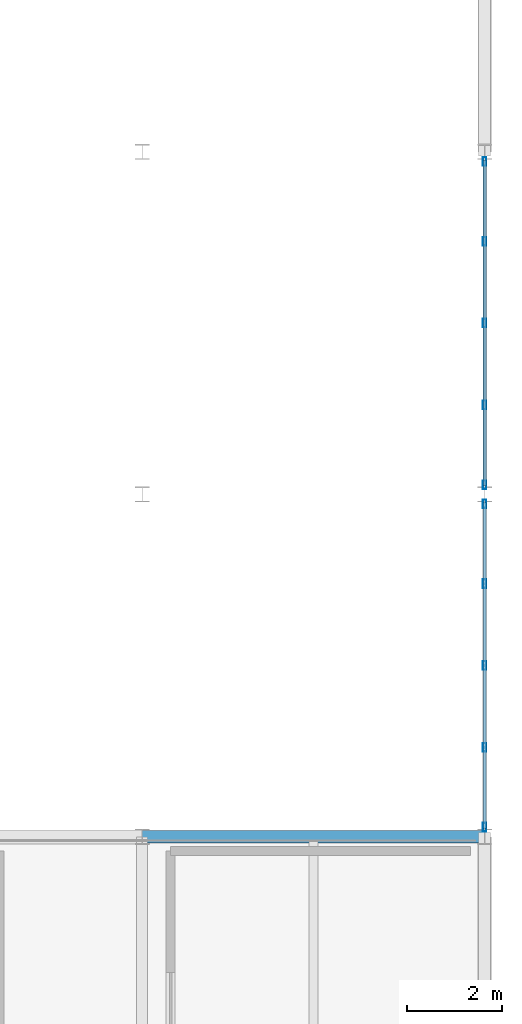
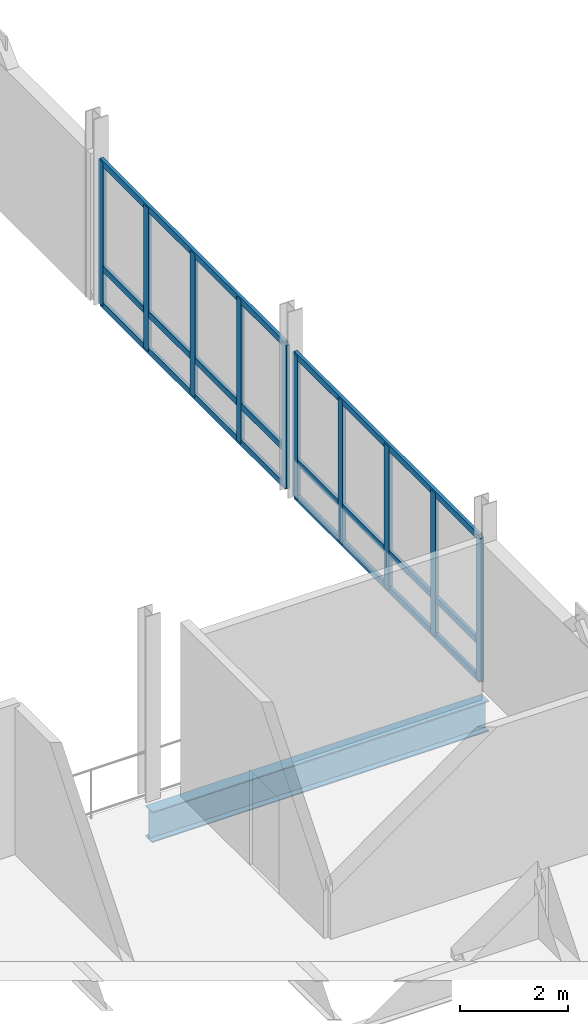
# One storey, part 59 of 102: 16 members, 1 beam, 2 elements without a shape of their own.
"""IFC4 building model written with IfcOpenShell, lengths in metres."""

from ifc_helpers import new_model, si_unit, direction, frame, origin, origin_2d, place, context, subcontext, project, spatial, hollow_rectangle, i_section, extrude, material, material_profile, profile_set, type_object, element, aggregate, save


model = new_model("IFC4")

# Units and contexts
model_context = context("Model", 3, precision=1e-05, world=origin(), true_north=direction((0.0, 1.0)))
body_context = subcontext(model_context, "Body", "Model", "MODEL_VIEW")
ifc_project = project(units=[si_unit("LENGTHUNIT", "METRE"), si_unit("AREAUNIT", "SQUARE_METRE"), si_unit("VOLUMEUNIT", "CUBIC_METRE"), si_unit("PLANEANGLEUNIT", "RADIAN"), si_unit("MASSUNIT", "GRAM", prefix="KILO")], contexts=[model_context])

# Site, building, storey
site_placement = place(None, origin())
site = spatial("IfcSite", under=ifc_project, at=site_placement, CompositionType="ELEMENT")
building_placement = place(site_placement, origin())
building = spatial("IfcBuilding", under=site, at=building_placement, Name="Yarey Park Central Fire Station", CompositionType="ELEMENT")
storey_placement = place(building_placement, frame((0.0, 0.0, 6.0)))
storey = spatial("IfcBuildingStorey", under=building, at=storey_placement, Name="L02", CompositionType="ELEMENT", Elevation=6.0)

# Curtain wall, members
ifc_material_1 = material(Name="Anodized Aluminium Frame", Category="aluminium")
curtain_wall_type = type_object("IfcCurtainWallType", Name="ENV_CW_HQ_L02", PredefinedType="NOTDEFINED", material=ifc_material_1)
curtain_wall_1_placement = place(storey_placement, origin())
curtain_wall_1 = element("IfcCurtainWall", 1, at=curtain_wall_1_placement, inside=storey, type_object=curtain_wall_type, Name="CW_L02_V5_E_1", PredefinedType="NOTDEFINED")
ifc_material_profile_1 = material_profile(ifc_material_1, hollow_rectangle(XDim=0.070068359375, YDim=0.179931640625, WallThickness=0.00390625, at=origin_2d()), Name="ALU 180x70x4")
ifc_profile_set_1 = profile_set([ifc_material_profile_1], Name="Anodized Aluminium Frame")
member_type_1 = type_object("IfcMemberType", Name="ENV_CW_MULLION", PredefinedType="MULLION", material=ifc_profile_set_1)
member_1_placement = place(storey_placement, frame((165.60009765625, 65.0, 0.0), z_axis=(0.0, 0.0, 1.0), x_axis=(1.0, 0.0, 0.0)))
member_1 = element("IfcMember", 2, at=member_1_placement, type_object=member_type_1, Name="CW_L02_V5_E_1_MUL1", PredefinedType="MULLION", context=body_context, shape_type="SweptSolid", body=[
    extrude(hollow_rectangle(XDim=0.070068359375, YDim=0.179931640625, WallThickness=0.00390625, at=origin_2d()), origin(), (0.0, 0.0, 1.0), 3.25),
])
member_2_placement = place(storey_placement, frame((165.60009765625, 66.679931640625, 0.0), z_axis=(0.0, 0.0, 1.0), x_axis=(1.0, 0.0, 0.0)))
member_2 = element("IfcMember", 3, at=member_2_placement, type_object=member_type_1, Name="CW_L02_V5_E_1_MUL2", PredefinedType="MULLION", context=body_context, shape_type="SweptSolid", body=[
    extrude(hollow_rectangle(XDim=0.070068359375, YDim=0.179931640625, WallThickness=0.00390625, at=origin_2d()), origin(), (0.0, 0.0, 1.0), 3.25),
])
member_3_placement = place(storey_placement, frame((165.60009765625, 68.39990234375, 0.0), z_axis=(0.0, 0.0, 1.0), x_axis=(1.0, 0.0, 0.0)))
member_3 = element("IfcMember", 4, at=member_3_placement, type_object=member_type_1, Name="CW_L02_V5_E_1_MUL3", PredefinedType="MULLION", context=body_context, shape_type="SweptSolid", body=[
    extrude(hollow_rectangle(XDim=0.070068359375, YDim=0.179931640625, WallThickness=0.00390625, at=origin_2d()), origin(), (0.0, 0.0, 1.0), 3.25),
])
member_4_placement = place(storey_placement, frame((165.60009765625, 70.1201171875, 0.0), z_axis=(0.0, 0.0, 1.0), x_axis=(1.0, 0.0, 0.0)))
member_4 = element("IfcMember", 5, at=member_4_placement, type_object=member_type_1, Name="CW_L02_V5_E_1_MUL4", PredefinedType="MULLION", context=body_context, shape_type="SweptSolid", body=[
    extrude(hollow_rectangle(XDim=0.070068359375, YDim=0.179931640625, WallThickness=0.00390625, at=origin_2d()), origin(), (0.0, 0.0, 1.0), 3.25),
])
member_5_placement = place(storey_placement, frame((165.60009765625, 71.800048828125, 0.0), z_axis=(0.0, 0.0, 1.0), x_axis=(1.0, 0.0, 0.0)))
member_5 = element("IfcMember", 6, at=member_5_placement, type_object=member_type_1, Name="CW_L02_V5_E_1_MUL5", PredefinedType="MULLION", context=body_context, shape_type="SweptSolid", body=[
    extrude(hollow_rectangle(XDim=0.070068359375, YDim=0.179931640625, WallThickness=0.00390625, at=origin_2d()), origin(), (0.0, 0.0, 1.0), 3.25),
])

curtain_wall_2_placement = place(storey_placement, origin())
curtain_wall_2 = element("IfcCurtainWall", 7, at=curtain_wall_2_placement, inside=storey, type_object=curtain_wall_type, Name="CW_L02_V5_E_2", PredefinedType="NOTDEFINED")
member_6_placement = place(storey_placement, frame((165.60009765625, 72.199951171875, 0.0), z_axis=(0.0, 0.0, 1.0), x_axis=(1.0, 0.0, 0.0)))
member_6 = element("IfcMember", 8, at=member_6_placement, type_object=member_type_1, Name="CW_L02_V5_E_2_MUL1", PredefinedType="MULLION", context=body_context, shape_type="SweptSolid", body=[
    extrude(hollow_rectangle(XDim=0.070068359375, YDim=0.179931640625, WallThickness=0.00390625, at=origin_2d()), origin(), (0.0, 0.0, 1.0), 3.25),
])
member_7_placement = place(storey_placement, frame((165.60009765625, 73.8798828125, 0.0), z_axis=(0.0, 0.0, 1.0), x_axis=(1.0, 0.0, 0.0)))
member_7 = element("IfcMember", 9, at=member_7_placement, type_object=member_type_1, Name="CW_L02_V5_E_2_MUL2", PredefinedType="MULLION", context=body_context, shape_type="SweptSolid", body=[
    extrude(hollow_rectangle(XDim=0.070068359375, YDim=0.179931640625, WallThickness=0.00390625, at=origin_2d()), origin(), (0.0, 0.0, 1.0), 3.25),
])
member_8_placement = place(storey_placement, frame((165.60009765625, 75.60009765625, 0.0), z_axis=(0.0, 0.0, 1.0), x_axis=(1.0, 0.0, 0.0)))
member_8 = element("IfcMember", 10, at=member_8_placement, type_object=member_type_1, Name="CW_L02_V5_E_2_MUL3", PredefinedType="MULLION", context=body_context, shape_type="SweptSolid", body=[
    extrude(hollow_rectangle(XDim=0.070068359375, YDim=0.179931640625, WallThickness=0.00390625, at=origin_2d()), origin(), (0.0, 0.0, 1.0), 3.25),
])
member_9_placement = place(storey_placement, frame((165.60009765625, 77.320068359375, 0.0), z_axis=(0.0, 0.0, 1.0), x_axis=(1.0, 0.0, 0.0)))
member_9 = element("IfcMember", 11, at=member_9_placement, type_object=member_type_1, Name="CW_L02_V5_E_2_MUL4", PredefinedType="MULLION", context=body_context, shape_type="SweptSolid", body=[
    extrude(hollow_rectangle(XDim=0.070068359375, YDim=0.179931640625, WallThickness=0.00390625, at=origin_2d()), origin(), (0.0, 0.0, 1.0), 3.25),
])
member_10_placement = place(storey_placement, frame((165.60009765625, 79.0, 0.0), z_axis=(0.0, 0.0, 1.0), x_axis=(1.0, 0.0, 0.0)))
member_10 = element("IfcMember", 12, at=member_10_placement, type_object=member_type_1, Name="CW_L02_V5_E_2_MUL5", PredefinedType="MULLION", context=body_context, shape_type="SweptSolid", body=[
    extrude(hollow_rectangle(XDim=0.070068359375, YDim=0.179931640625, WallThickness=0.00390625, at=origin_2d()), origin(), (0.0, 0.0, 1.0), 3.25),
])

# Member
ifc_material_profile_2 = material_profile(ifc_material_1, hollow_rectangle(XDim=0.070068359375, YDim=0.139892578125, WallThickness=0.00390625, at=origin_2d()), Name="ALU 140x70x4")
ifc_profile_set_2 = profile_set([ifc_material_profile_2], Name="Anodized Aluminium Frame")
member_type_2 = type_object("IfcMemberType", Name="ENV_CW_TRANSOM", PredefinedType="USERDEFINED", material=ifc_profile_set_2)
member_11_placement = place(storey_placement, frame((165.60009765625, 64.97509765625, 0.02490234375), z_axis=(0.0, 1.0, 0.0), x_axis=(-1.0, 0.0, 0.0)))
member_11 = element("IfcMember", 13, at=member_11_placement, type_object=member_type_2, Name="CW_L02_V5_E_1_TRN1", ObjectType="TRANSOM", PredefinedType="USERDEFINED", context=body_context, shape_type="SweptSolid", body=[
    extrude(hollow_rectangle(XDim=0.070068359375, YDim=0.139892578125, WallThickness=0.00390625, at=origin_2d()), origin(), (0.0, 0.0, 1.0), 6.849853515625),
])

member_12_placement = place(storey_placement, frame((165.60009765625, 64.97509765625, 0.85009765625), z_axis=(0.0, 1.0, 0.0), x_axis=(-1.0, 0.0, 0.0)))
member_12 = element("IfcMember", 14, at=member_12_placement, type_object=member_type_2, Name="CW_L02_V5_E_1_TRN2", ObjectType="TRANSOM", PredefinedType="USERDEFINED", context=body_context, shape_type="SweptSolid", body=[
    extrude(hollow_rectangle(XDim=0.070068359375, YDim=0.139892578125, WallThickness=0.00390625, at=origin_2d()), origin(), (0.0, 0.0, 1.0), 6.849853515625),
])

member_13_placement = place(storey_placement, frame((165.60009765625, 64.97509765625, 3.22509765625), z_axis=(0.0, 1.0, 0.0), x_axis=(-1.0, 0.0, 0.0)))
member_13 = element("IfcMember", 15, at=member_13_placement, type_object=member_type_2, Name="CW_L02_V5_E_1_TRN3", ObjectType="TRANSOM", PredefinedType="USERDEFINED", context=body_context, shape_type="SweptSolid", body=[
    extrude(hollow_rectangle(XDim=0.070068359375, YDim=0.139892578125, WallThickness=0.00390625, at=origin_2d()), origin(), (0.0, 0.0, 1.0), 6.849853515625),
])

aggregate(curtain_wall_1, [member_1, member_2, member_3, member_4, member_5, member_11, member_12, member_13])

member_14_placement = place(storey_placement, frame((165.60009765625, 72.175048828125, 0.02490234375), z_axis=(0.0, 1.0, 0.0), x_axis=(-1.0, 0.0, 0.0)))
member_14 = element("IfcMember", 16, at=member_14_placement, type_object=member_type_2, Name="CW_L02_V5_E_2_TRN1", ObjectType="TRANSOM", PredefinedType="USERDEFINED", context=body_context, shape_type="SweptSolid", body=[
    extrude(hollow_rectangle(XDim=0.070068359375, YDim=0.139892578125, WallThickness=0.00390625, at=origin_2d()), origin(), (0.0, 0.0, 1.0), 6.849853515625),
])

member_15_placement = place(storey_placement, frame((165.60009765625, 72.175048828125, 0.85009765625), z_axis=(0.0, 1.0, 0.0), x_axis=(-1.0, 0.0, 0.0)))
member_15 = element("IfcMember", 17, at=member_15_placement, type_object=member_type_2, Name="CW_L02_V5_E_2_TRN2", ObjectType="TRANSOM", PredefinedType="USERDEFINED", context=body_context, shape_type="SweptSolid", body=[
    extrude(hollow_rectangle(XDim=0.070068359375, YDim=0.139892578125, WallThickness=0.00390625, at=origin_2d()), origin(), (0.0, 0.0, 1.0), 6.849853515625),
])

member_16_placement = place(storey_placement, frame((165.60009765625, 72.175048828125, 3.22509765625), z_axis=(0.0, 1.0, 0.0), x_axis=(-1.0, 0.0, 0.0)))
member_16 = element("IfcMember", 18, at=member_16_placement, type_object=member_type_2, Name="CW_L02_V5_E_2_TRN3", ObjectType="TRANSOM", PredefinedType="USERDEFINED", context=body_context, shape_type="SweptSolid", body=[
    extrude(hollow_rectangle(XDim=0.070068359375, YDim=0.139892578125, WallThickness=0.00390625, at=origin_2d()), origin(), (0.0, 0.0, 1.0), 6.849853515625),
])

aggregate(curtain_wall_2, [member_6, member_7, member_8, member_9, member_10, member_14, member_15, member_16])

# Beam
ifc_material_2 = material(Name="Steel ASTM A992 Gr. 50", Category="steel")
ifc_material_profile_3 = material_profile(ifc_material_2, i_section(OverallWidth=0.256103515625, OverallDepth=0.693115234375, WebThickness=0.014404296875, FlangeThickness=0.023681640625, at=origin_2d()), Name="W690x170")
ifc_profile_set_3 = profile_set([ifc_material_profile_3], Name="Steel ASTM A992 Gr. 50")
beam_type = type_object("IfcBeamType", Name="STR_BM_W690", PredefinedType="BEAM", material=ifc_profile_set_3)
beam_placement = place(storey_placement, frame((158.39990234375, 64.800048828125, -0.631591796875), z_axis=(1.0, 0.0, 0.0), x_axis=(0.0, 1.0, 0.0)))
element("IfcBeam", 19, at=beam_placement, inside=storey, type_object=beam_type, Name="BMX L02 Y648 X1584", PredefinedType="BEAM", context=body_context, shape_type="SweptSolid", body=[
    extrude(i_section(OverallWidth=0.256103515625, OverallDepth=0.693115234375, WebThickness=0.014404296875, FlangeThickness=0.023681640625, at=origin_2d()), origin(), (0.0, 0.0, 1.0), 7.2001953125),
])

save(model, "model.ifc")
